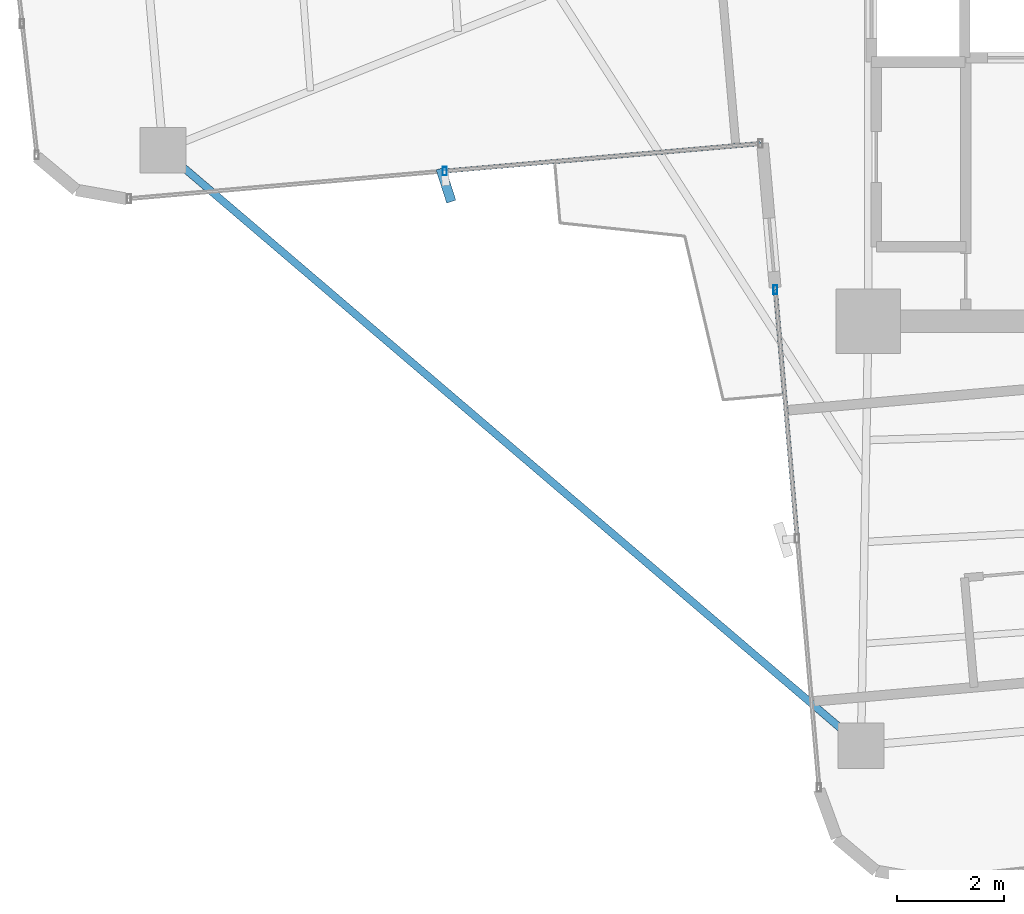
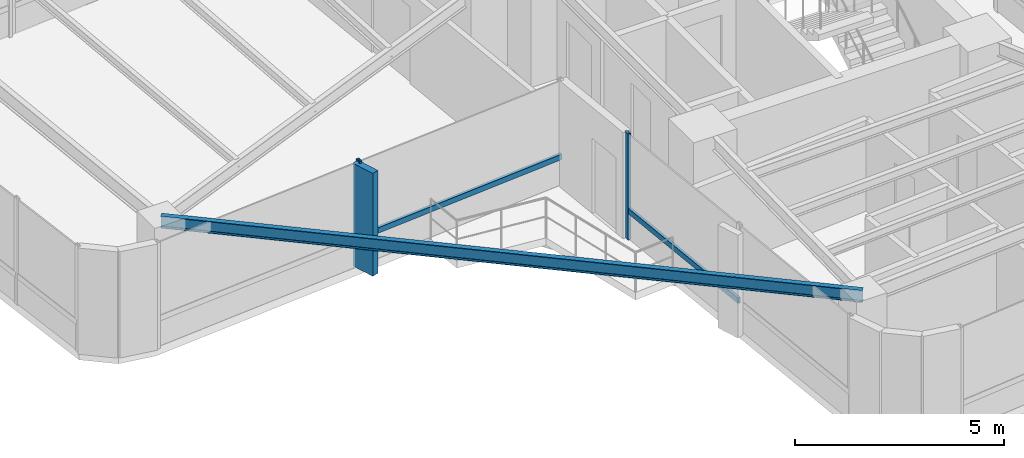
# One storey, part 4 of 24: 5 members, 1 beam, 2 elements without a shape of their own.
"""IFC4 building model written with IfcOpenShell, lengths in metres."""

import ifcopenshell
import ifcopenshell.guid

model = None  # the IFC model being written
_history = None  # IfcOwnerHistory: only IFC2X3 demands one
_inside = {}  # id of a spatial element -> (the spatial element, [elements in it])
_under = {}  # id of a project, library or spatial element -> (it, [spatial elements below it])
_declared = {}  # id of a project -> (the project, [libraries it declares])
_typed = {}  # id of a type object -> (the type object, [elements of that type])
_made_of = {}  # id of a material, layer set ... -> (it, [elements and type objects made of it])


def new_model(schema):
    """Start an empty IFC model of exactly this schema.

    Asked for "IFC4X3", IfcOpenShell would pick the latest addendum, in which some entities
    have other attributes; the version numbers below select the first issue.
    IFC2X3 requires an IfcOwnerHistory on every rooted entity: one is made here for all.
    """
    global model, _history
    if schema == "IFC4X3":
        model = ifcopenshell.file(schema_version=(4, 3, 0, 0))
    else:
        model = ifcopenshell.file(schema=schema)
    _inside.clear()
    _under.clear()
    _declared.clear()
    _typed.clear()
    _made_of.clear()
    _history = None
    if model.schema == "IFC2X3":
        org = make("IfcOrganization", Name="unknown")
        user = make(
            "IfcPersonAndOrganization",
            ThePerson=make("IfcPerson", FamilyName="unknown"),
            TheOrganization=org,
        )
        app = make(
            "IfcApplication",
            ApplicationDeveloper=org,
            Version="unknown",
            ApplicationFullName="unknown",
            ApplicationIdentifier="unknown",
        )
        _history = make(
            "IfcOwnerHistory",
            OwningUser=user,
            OwningApplication=app,
            ChangeAction="ADDED",
            CreationDate=0,
        )
    return model


def make(cls, **values):
    """One entity of the class cls with the attributes given. An attribute that is None is left unset."""
    return model.create_entity(
        cls, **{name: value for name, value in values.items() if value is not None}
    )


def rooted(cls, **values):
    """An entity with a GlobalId (a new one), such as an element, a storey or a relation."""
    return make(cls, GlobalId=ifcopenshell.guid.new(), OwnerHistory=_history, **values)


def si_unit(unit_type, name, prefix=None):
    """IfcSIUnit, for example si_unit("LENGTHUNIT", "METRE", prefix="MILLI")."""
    return make("IfcSIUnit", UnitType=unit_type, Prefix=prefix, Name=name)


def assignment(units):
    """IfcUnitAssignment: the units of a project."""
    return None if units is None else make("IfcUnitAssignment", Units=units)


def point(xyz):
    """IfcCartesianPoint."""
    return None if xyz is None else make("IfcCartesianPoint", Coordinates=xyz)


def direction(xyz):
    """IfcDirection."""
    return None if xyz is None else make("IfcDirection", DirectionRatios=xyz)


def frame(location, z_axis=None, x_axis=None):
    """IfcAxis2Placement3D, a coordinate frame: its origin and axes. An axis left out is left unset."""
    return make(
        "IfcAxis2Placement3D",
        Location=point(location),
        Axis=direction(z_axis),
        RefDirection=direction(x_axis),
    )


def frame_2d(location, x_axis=None):
    """IfcAxis2Placement2D, a coordinate frame in the plane: its origin and x axis."""
    return make(
        "IfcAxis2Placement2D", Location=point(location), RefDirection=direction(x_axis)
    )


def origin():
    """The frame at (0, 0, 0) with its axes left unset."""
    return frame((0.0, 0.0, 0.0))


def origin_2d():
    """The frame at (0, 0) in the plane with its x axis left unset."""
    return frame_2d((0.0, 0.0))


def place(relative_to, where):
    """IfcLocalPlacement: puts the frame where relative to a parent placement (None: the world)."""
    return make(
        "IfcLocalPlacement", PlacementRelTo=relative_to, RelativePlacement=where
    )


def context(
    kind, dimensions, precision=None, world=None, true_north=None, identifier=None
):
    """IfcGeometricRepresentationContext, for example the 3D "Model" context."""
    return make(
        "IfcGeometricRepresentationContext",
        ContextIdentifier=identifier,
        ContextType=kind,
        CoordinateSpaceDimension=dimensions,
        Precision=precision,
        WorldCoordinateSystem=world,
        TrueNorth=true_north,
    )


def subcontext(parent, identifier, kind, view, scale=None):
    """IfcGeometricRepresentationSubContext, for example "Body" below "Model"."""
    return make(
        "IfcGeometricRepresentationSubContext",
        ContextIdentifier=identifier,
        ContextType=kind,
        ParentContext=parent,
        TargetScale=scale,
        TargetView=view,
    )


def project(units=None, contexts=None):
    """IfcProject with its units and contexts."""
    return rooted(
        "IfcProject",
        Name="project",
        RepresentationContexts=contexts,
        UnitsInContext=assignment(units),
    )


def spatial(cls, under=None, at=None, **own):
    """A site, building, storey or space (cls), placed at a placement, below another one or the project."""
    s = rooted(cls, ObjectPlacement=at, **own)
    if under is not None:
        _under.setdefault(under.id(), (under, []))[1].append(s)
    return s


def profile(cls, at=None, kind="AREA", **sizes):
    """A parametric profile (cls). Its sizes go by their IFC names, for example OverallWidth=200.0."""
    return make(cls, ProfileType=kind, Position=at, **sizes)


def rectangle(**sizes):
    """IfcRectangleProfileDef."""
    return profile("IfcRectangleProfileDef", **sizes)


def hollow_rectangle(**sizes):
    """IfcRectangleHollowProfileDef."""
    return profile("IfcRectangleHollowProfileDef", **sizes)


def i_section(**sizes):
    """IfcIShapeProfileDef."""
    return profile("IfcIShapeProfileDef", **sizes)


def extrude(swept, where, along, depth):
    """IfcExtrudedAreaSolid: the profile swept, set in the frame where, extruded along a direction by depth."""
    return make(
        "IfcExtrudedAreaSolid",
        SweptArea=swept,
        Position=where,
        ExtrudedDirection=direction(along),
        Depth=depth,
    )


def shape(context_of_items, identifier, shape_type, items):
    """IfcShapeRepresentation: the items that make up one representation, for example the "Body"."""
    return make(
        "IfcShapeRepresentation",
        ContextOfItems=context_of_items,
        RepresentationIdentifier=identifier,
        RepresentationType=shape_type,
        Items=items,
    )


def source(mapping_origin, context_of_items, identifier, shape_type, items):
    """IfcRepresentationMap: a shape defined once, which mapped items show again and again."""
    return make(
        "IfcRepresentationMap",
        MappingOrigin=mapping_origin,
        MappedRepresentation=shape(context_of_items, identifier, shape_type, items),
    )


def transform(
    local_origin,
    x_axis=None,
    y_axis=None,
    z_axis=None,
    scale=None,
    scale2=None,
    scale3=None,
    uniform=True,
):
    """IfcCartesianTransformationOperator3D, or its non-uniform kind. x_axis, y_axis, z_axis: its Axis1, 2, 3."""
    if uniform:
        return make(
            "IfcCartesianTransformationOperator3D",
            Axis1=direction(x_axis),
            Axis2=direction(y_axis),
            LocalOrigin=point(local_origin),
            Scale=scale,
            Axis3=direction(z_axis),
        )
    return make(
        "IfcCartesianTransformationOperator3DnonUniform",
        Axis1=direction(x_axis),
        Axis2=direction(y_axis),
        LocalOrigin=point(local_origin),
        Scale=scale,
        Axis3=direction(z_axis),
        Scale2=scale2,
        Scale3=scale3,
    )


def mapped(mapping_source, mapping_target):
    """IfcMappedItem: shows the shape of a source again, moved by a transform."""
    return make(
        "IfcMappedItem", MappingSource=mapping_source, MappingTarget=mapping_target
    )


def material(Name=None, Category=None):
    """IfcMaterial."""
    return make("IfcMaterial", Name=Name, Category=Category)


def material_profile(
    of_material, cross_section, Name=None, Category=None, Priority=None
):
    """IfcMaterialProfile: a cross section and its material."""
    return make(
        "IfcMaterialProfile",
        Name=Name,
        Material=of_material,
        Profile=cross_section,
        Priority=Priority,
        Category=Category,
    )


def profile_set(profiles, Name=None, composite=None):
    """IfcMaterialProfileSet."""
    return make(
        "IfcMaterialProfileSet",
        Name=Name,
        MaterialProfiles=profiles,
        CompositeProfile=composite,
    )


def made_of(thing, what):
    """Note that an element or type object is made of a material, layer set ...; save() writes the relation."""
    if what is not None:
        _made_of.setdefault(what.id(), (what, []))[1].append(thing)
    return thing


def type_object(cls, material=None, **own):
    """A type object (cls), such as IfcWallType, which elements share."""
    return made_of(rooted(cls, **own), material)


def element(
    cls,
    number,
    at=None,
    inside=None,
    cuts=None,
    type_object=None,
    material=None,
    context=None,
    identifier="Body",
    shape_type=None,
    held_by="IfcProductDefinitionShape",
    body=None,
    shapes=None,
    **own,
):
    """One element of the class cls, such as IfcWall. Its Tag is "e" and its number.

    at: its placement. inside: the storey or other place that contains it. cuts: it is an
    opening in that element (IfcRelVoidsElement). A single representation is given by context,
    identifier, shape_type and body (its items); several are given by shapes. held_by: the class
    of the entity that holds the representations. save() writes the other relations.
    """
    e = rooted(cls, Tag="e%d" % number, ObjectPlacement=at, **own)
    if body is not None:
        shapes = [shape(context, identifier, shape_type, body)]
    if shapes is not None:
        e.Representation = make(held_by, Representations=shapes)
    if inside is not None:
        _inside.setdefault(inside.id(), (inside, []))[1].append(e)
    if cuts is not None:
        rooted(
            "IfcRelVoidsElement", RelatingBuildingElement=cuts, RelatedOpeningElement=e
        )
    if type_object is not None:
        _typed.setdefault(type_object.id(), (type_object, []))[1].append(e)
    return made_of(e, material)


def aggregate(whole, parts):
    """IfcRelAggregates: a whole, such as a stair, and the parts it consists of."""
    return rooted("IfcRelAggregates", RelatingObject=whole, RelatedObjects=parts)


def save(model, path):
    """Write the relations noted so far, then the file.

    IfcRelAggregates (storeys below a building ...), IfcRelContainedInSpatialStructure (elements
    in a storey), IfcRelDefinesByType, IfcRelAssociatesMaterial and IfcRelDeclares: one each for
    every whole, place, type object, material and project.
    """
    for whole, parts in _under.values():
        aggregate(whole, parts)
    for where, things in _inside.values():
        rooted(
            "IfcRelContainedInSpatialStructure",
            RelatedElements=things,
            RelatingStructure=where,
        )
    for kind, things in _typed.values():
        rooted("IfcRelDefinesByType", RelatedObjects=things, RelatingType=kind)
    for what, things in _made_of.values():
        rooted("IfcRelAssociatesMaterial", RelatedObjects=things, RelatingMaterial=what)
    for by, libraries in _declared.values():
        rooted("IfcRelDeclares", RelatingContext=by, RelatedDefinitions=libraries)
    model.write(path)


model = new_model("IFC4")

# Units and contexts
model_context = context("Model", 3, precision=1e-05, world=origin(), true_north=direction((0.0, 1.0)))
body_context = subcontext(model_context, "Body", "Model", "MODEL_VIEW")
ifc_project = project(units=[si_unit("LENGTHUNIT", "METRE"), si_unit("AREAUNIT", "SQUARE_METRE"), si_unit("VOLUMEUNIT", "CUBIC_METRE"), si_unit("PLANEANGLEUNIT", "RADIAN"), si_unit("MASSUNIT", "GRAM", prefix="KILO")], contexts=[model_context])

# Site, building, storey
site_placement = place(None, origin())
site = spatial("IfcSite", under=ifc_project, at=site_placement, CompositionType="ELEMENT")
building_placement = place(site_placement, origin())
building = spatial("IfcBuilding", under=site, at=building_placement, Name="Sahyath Konkavel Grand Hotel", CompositionType="ELEMENT")
storey_placement = place(building_placement, frame((0.0, 0.0, 160.64990234375)))
storey = spatial("IfcBuildingStorey", under=building, at=storey_placement, Name="L44", CompositionType="ELEMENT", Elevation=160.64990234375)

# Beam
ifc_material_1 = material(Name="Steel E350", Category="steel")
ifc_material_profile_1 = material_profile(ifc_material_1, i_section(OverallWidth=0.139892578125, OverallDepth=0.35009765625, WebThickness=0.008056640625, FlangeThickness=0.01416015625, FilletRadius=0.013916015625, at=origin_2d()), Name="ISMB 350")
ifc_profile_set_1 = profile_set([ifc_material_profile_1], Name="Steel E350")
beam_type = type_object("IfcBeamType", Name="BM-ISMB350", PredefinedType="BEAM", material=ifc_profile_set_1)
shared_shape_1 = source(origin(), body_context, "Body", "SweptSolid", [
    extrude(i_section(OverallWidth=0.139892578125, OverallDepth=0.35009765625, WebThickness=0.008056640625, FlangeThickness=0.01416015625, FilletRadius=0.013916015625, at=origin_2d()), origin(), (0.0, 0.0, 1.0), 17.11279296875),
])
beam_placement = place(storey_placement, frame((-16.9541015625, -7.00439453125, 2.93505859375), z_axis=(0.760711911164, -0.649089661151, 0.0), x_axis=(0.649089661151, 0.760711911164, 0.0)))
element("IfcBeam", 1, at=beam_placement, inside=storey, type_object=beam_type, Name="L44 Re-Entrant Tie Beam SW", PredefinedType="BEAM", context=body_context, shape_type="MappedRepresentation", body=[
    mapped(shared_shape_1, transform((0.0, 0.0, 0.0), scale=1.0)),
])

# Curtain wall, members
ifc_material_2 = material(Name="Anodised Bronze Aluminium & Low-E Glazing", Category="aluminium")
curtain_wall_type = type_object("IfcCurtainWallType", Name="CW-ZONE3", PredefinedType="NOTDEFINED", material=ifc_material_2)
curtain_wall_1_placement = place(storey_placement, origin())
curtain_wall_1 = element("IfcCurtainWall", 2, at=curtain_wall_1_placement, inside=storey, type_object=curtain_wall_type, Name="L44 Unitised Curtain Wall F23", PredefinedType="NOTDEFINED")
ifc_material_3 = material(Name="Warm Buff Sandstone Cladding on Concrete C50/60", Category="masonry")
ifc_material_profile_2 = material_profile(ifc_material_3, rectangle(XDim=0.179931640625, YDim=0.64990234375, at=origin_2d()), Name="FIN 180x650")
ifc_profile_set_2 = profile_set([ifc_material_profile_2], Name="Warm Buff Sandstone Cladding on Concrete C50/60")
member_type_1 = type_object("IfcMemberType", Name="FIN-SANDSTONE-650", PredefinedType="MULLION", material=ifc_profile_set_2)
shared_shape_2 = source(origin(), body_context, "Body", "SweptSolid", [
    extrude(rectangle(XDim=0.179931640625, YDim=0.64990234375, at=origin_2d()), origin(), (0.0, 0.0, 1.0), 3.010009765625),
])
member_1_placement = place(storey_placement, frame((-11.677001953125, -7.656982421875, 0.050048828125), z_axis=(0.0, 0.0, 1.0), x_axis=(0.952502159334, 0.304531831612, 0.0)))
member_1 = element("IfcMember", 3, at=member_1_placement, type_object=member_type_1, Name="L44 Sandstone Vertical Solar Fin FIN F23-1", PredefinedType="MULLION", context=body_context, shape_type="MappedRepresentation", body=[
    mapped(shared_shape_2, transform((0.0, 0.0, 0.0), scale=1.0)),
])
ifc_material_4 = material(Name="Anodised Bronze Aluminium", Category="aluminium")
ifc_material_profile_3 = material_profile(ifc_material_4, hollow_rectangle(XDim=0.080078125, YDim=0.159912109375, WallThickness=0.006103515625, at=origin_2d()), Name="RHS 160x80x6")
ifc_profile_set_3 = profile_set([ifc_material_profile_3], Name="Anodised Bronze Aluminium")
member_type_2 = type_object("IfcMemberType", Name="CW-MUL-160", PredefinedType="MULLION", material=ifc_profile_set_3)
shared_shape_3 = source(origin(), body_context, "Body", "SweptSolid", [
    extrude(hollow_rectangle(XDim=0.080078125, YDim=0.159912109375, WallThickness=0.006103515625, at=origin_2d()), origin(), (0.0, 0.0, 1.0), 3.110107421875),
])
member_2_placement = place(storey_placement, frame((-11.69970703125, -7.39794921875, 0.0), z_axis=(0.0, 0.0, 1.0), x_axis=(1.0, 0.0, 0.0)))
member_2 = element("IfcMember", 4, at=member_2_placement, type_object=member_type_2, Name="L44 Curtain Wall Mullion F23-1", PredefinedType="MULLION", context=body_context, shape_type="MappedRepresentation", body=[
    mapped(shared_shape_3, transform((0.0, 0.0, 0.0), scale=1.0)),
])

# Curtain wall, member
curtain_wall_2_placement = place(storey_placement, origin())
curtain_wall_2 = element("IfcCurtainWall", 5, at=curtain_wall_2_placement, inside=storey, type_object=curtain_wall_type, Name="L44 Unitised Curtain Wall F24", PredefinedType="NOTDEFINED")
member_3_placement = place(storey_placement, frame((-5.53369140625, -9.60888671875, 0.0), z_axis=(0.0, 0.0, 1.0), x_axis=(1.0, 0.0, 0.0)))
member_3 = element("IfcMember", 6, at=member_3_placement, type_object=member_type_2, Name="L44 Curtain Wall Mullion F24-0", PredefinedType="MULLION", context=body_context, shape_type="MappedRepresentation", body=[
    mapped(shared_shape_3, transform((0.0, 0.0, 0.0), scale=1.0)),
])

# Member
ifc_material_profile_4 = material_profile(ifc_material_4, hollow_rectangle(XDim=0.080078125, YDim=0.159912109375, WallThickness=0.006103515625, at=origin_2d()), Name="RHS 160x80x6")
ifc_profile_set_4 = profile_set([ifc_material_profile_4], Name="Anodised Bronze Aluminium")
member_type_3 = type_object("IfcMemberType", Name="CW-TRN-160", PredefinedType="USERDEFINED", material=ifc_profile_set_4)
shared_shape_4 = source(origin(), body_context, "Body", "SweptSolid", [
    extrude(hollow_rectangle(XDim=0.080078125, YDim=0.159912109375, WallThickness=0.006103515625, at=origin_2d()), origin(), (0.0, 0.0, 1.0), 5.909912109375),
])
member_4_placement = place(storey_placement, frame((-11.69970703125, -7.39794921875, 0.85009765625), z_axis=(0.996193941691, 0.087164388014, 0.0), x_axis=(-0.087164388014, 0.996193941691, 0.0)))
member_4 = element("IfcMember", 7, at=member_4_placement, type_object=member_type_3, Name="L44 Curtain Wall Transom F23-1-spandrel", ObjectType="TRANSOM", PredefinedType="USERDEFINED", context=body_context, shape_type="MappedRepresentation", body=[
    mapped(shared_shape_4, transform((0.0, 0.0, 0.0), scale=1.0)),
])

aggregate(curtain_wall_1, [member_2, member_1, member_4])

shared_shape_5 = source(origin(), body_context, "Body", "SweptSolid", [
    extrude(hollow_rectangle(XDim=0.080078125, YDim=0.159912109375, WallThickness=0.006103515625, at=origin_2d()), origin(), (0.0, 0.0, 1.0), 4.66015625),
])
member_5_placement = place(storey_placement, frame((-5.53369140625, -9.60888671875, 0.85009765625), z_axis=(0.087176698736, -0.996192864458, 0.0), x_axis=(0.996192864458, 0.087176698736, 0.0)))
member_5 = element("IfcMember", 8, at=member_5_placement, type_object=member_type_3, Name="L44 Curtain Wall Transom F24-0-spandrel", ObjectType="TRANSOM", PredefinedType="USERDEFINED", context=body_context, shape_type="MappedRepresentation", body=[
    mapped(shared_shape_5, transform((0.0, 0.0, 0.0), scale=1.0)),
])

aggregate(curtain_wall_2, [member_3, member_5])

save(model, "model.ifc")
